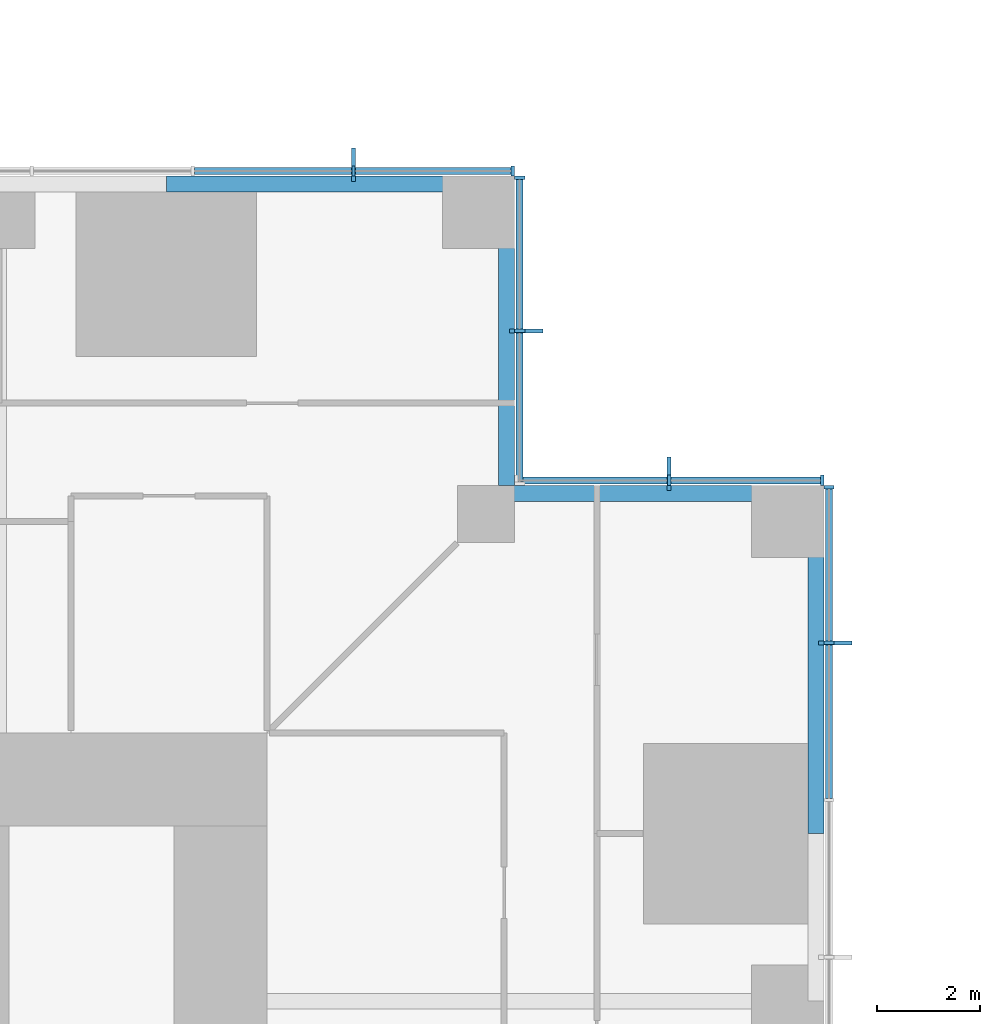
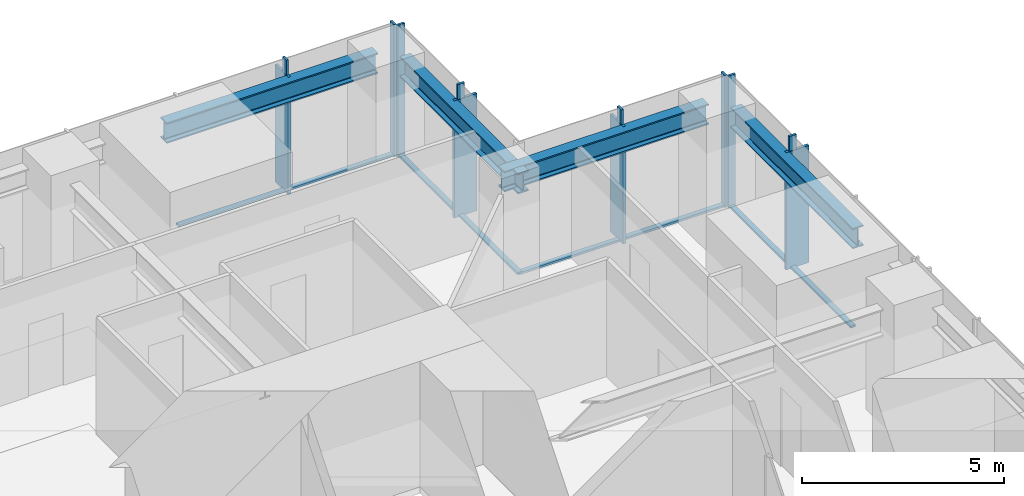
# One storey, part 6 of 17: 20 members, 4 beams, 4 elements without a shape of their own.
"""IFC4 building model written with IfcOpenShell, lengths in metres."""

from ifc_helpers import new_model, si_unit, direction, frame, origin, origin_2d, place, context, subcontext, project, spatial, rectangle, i_section, extrude, material, material_profile, profile_set, type_object, element, aggregate, save


model = new_model("IFC4")

# Units and contexts
model_context = context("Model", 3, precision=1e-05, world=origin(), true_north=direction((0.0, 1.0)))
body_context = subcontext(model_context, "Body", "Model", "MODEL_VIEW")
ifc_project = project(units=[si_unit("LENGTHUNIT", "METRE"), si_unit("AREAUNIT", "SQUARE_METRE"), si_unit("VOLUMEUNIT", "CUBIC_METRE"), si_unit("PLANEANGLEUNIT", "RADIAN"), si_unit("MASSUNIT", "GRAM", prefix="KILO")], contexts=[model_context])

# Site, building, storey
site_placement = place(None, origin())
site = spatial("IfcSite", under=ifc_project, at=site_placement, CompositionType="ELEMENT")
building_placement = place(site_placement, origin())
building = spatial("IfcBuilding", under=site, at=building_placement, Name="Svetlomir Tower", CompositionType="ELEMENT")
storey_placement = place(building_placement, frame((0.0, 0.0, 82.5)))
storey = spatial("IfcBuildingStorey", under=building, at=storey_placement, Name="L19", CompositionType="ELEMENT", Elevation=82.5)

# Curtain wall, member
ifc_material_1 = material(Name="Bronze anodised aluminium curtain wall", Category="aluminium")
curtain_wall_type = type_object("IfcCurtainWallType", Name="CURTAIN WALL CW1 TOWER OFFICE", PredefinedType="NOTDEFINED", material=ifc_material_1)
curtain_wall_1_placement = place(storey_placement, origin())
curtain_wall_1 = element("IfcCurtainWall", 1, at=curtain_wall_1_placement, inside=storey, type_object=curtain_wall_type, Name="Curtain wall CW1 L19", PredefinedType="NOTDEFINED")
ifc_material_2 = material(Name="Bronze anodised aluminium", Category="aluminium")
ifc_material_profile_1 = material_profile(ifc_material_2, rectangle(XDim=0.080078125, YDim=0.64990234375, at=origin_2d()), Name="FIN 80x650")
ifc_profile_set_1 = profile_set([ifc_material_profile_1], Name="Bronze anodised aluminium 6063-T6")
member_type_1 = type_object("IfcMemberType", Name="BRONZE FIN 80x650", PredefinedType="USERDEFINED", material=ifc_profile_set_1)
member_1_placement = place(storey_placement, frame((42.22509765625, 32.949951171875, 0.0), z_axis=(0.0, 0.0, 1.0), x_axis=(0.0, 1.0, 0.0)))
member_1 = element("IfcMember", 2, at=member_1_placement, type_object=member_type_1, Name="Bronze fin L19", ObjectType="FIN", PredefinedType="USERDEFINED", context=body_context, shape_type="SweptSolid", body=[
    extrude(rectangle(XDim=0.080078125, YDim=0.64990234375, at=origin_2d()), origin(), (0.0, 0.0, 1.0), 3.550048828125),
])

curtain_wall_2_placement = place(storey_placement, origin())
curtain_wall_2 = element("IfcCurtainWall", 3, at=curtain_wall_2_placement, inside=storey, type_object=curtain_wall_type, Name="Curtain wall CW1 L19", PredefinedType="NOTDEFINED")
member_2_placement = place(storey_placement, frame((39.0, 36.22509765625, 0.0), z_axis=(0.0, 0.0, 1.0), x_axis=(1.0, 0.0, 0.0)))
member_2 = element("IfcMember", 4, at=member_2_placement, type_object=member_type_1, Name="Bronze fin L19", ObjectType="FIN", PredefinedType="USERDEFINED", context=body_context, shape_type="SweptSolid", body=[
    extrude(rectangle(XDim=0.080078125, YDim=0.64990234375, at=origin_2d()), origin(), (0.0, 0.0, 1.0), 3.550048828125),
])

curtain_wall_3_placement = place(storey_placement, origin())
curtain_wall_3 = element("IfcCurtainWall", 5, at=curtain_wall_3_placement, inside=storey, type_object=curtain_wall_type, Name="Curtain wall CW1 L19", PredefinedType="NOTDEFINED")
member_3_placement = place(storey_placement, frame((36.22509765625, 39.0, 0.0), z_axis=(0.0, 0.0, 1.0), x_axis=(0.0, 1.0, 0.0)))
member_3 = element("IfcMember", 6, at=member_3_placement, type_object=member_type_1, Name="Bronze fin L19", ObjectType="FIN", PredefinedType="USERDEFINED", context=body_context, shape_type="SweptSolid", body=[
    extrude(rectangle(XDim=0.080078125, YDim=0.64990234375, at=origin_2d()), origin(), (0.0, 0.0, 1.0), 3.550048828125),
])

curtain_wall_4_placement = place(storey_placement, origin())
curtain_wall_4 = element("IfcCurtainWall", 7, at=curtain_wall_4_placement, inside=storey, type_object=curtain_wall_type, Name="Curtain wall CW1 L19", PredefinedType="NOTDEFINED")
member_4_placement = place(storey_placement, frame((32.8798828125, 42.22509765625, 0.0), z_axis=(0.0, 0.0, 1.0), x_axis=(1.0, 0.0, 0.0)))
member_4 = element("IfcMember", 8, at=member_4_placement, type_object=member_type_1, Name="Bronze fin L19", ObjectType="FIN", PredefinedType="USERDEFINED", context=body_context, shape_type="SweptSolid", body=[
    extrude(rectangle(XDim=0.080078125, YDim=0.64990234375, at=origin_2d()), origin(), (0.0, 0.0, 1.0), 3.550048828125),
])

# Member
ifc_material_3 = material(Name="Bronze anodised aluminium", Category="aluminium")
ifc_material_profile_2 = material_profile(ifc_material_3, rectangle(XDim=0.06494140625, YDim=0.199951171875, at=origin_2d()), Name="AL 65x200")
ifc_profile_set_2 = profile_set([ifc_material_profile_2], Name="Bronze anodised aluminium 6063-T6")
member_type_2 = type_object("IfcMemberType", Name="CW1 MULLION 65x200", PredefinedType="MULLION", material=ifc_profile_set_2)
member_5_placement = place(storey_placement, frame((42.10009765625, 32.949951171875, 0.0), z_axis=(0.0, 0.0, 1.0), x_axis=(0.0, 1.0, 0.0)))
member_5 = element("IfcMember", 9, at=member_5_placement, type_object=member_type_2, Name="CW1 mullion 8", PredefinedType="MULLION", context=body_context, shape_type="SweptSolid", body=[
    extrude(rectangle(XDim=0.06494140625, YDim=0.199951171875, at=origin_2d()), origin(), (0.0, 0.0, 1.0), 4.0),
])

member_6_placement = place(storey_placement, frame((42.10009765625, 35.967529296875, 0.0), z_axis=(0.0, 0.0, 1.0), x_axis=(0.0, 1.0, 0.0)))
member_6 = element("IfcMember", 10, at=member_6_placement, type_object=member_type_2, Name="CW1 mullion 9", PredefinedType="MULLION", context=body_context, shape_type="SweptSolid", body=[
    extrude(rectangle(XDim=0.06494140625, YDim=0.199951171875, at=origin_2d()), origin(), (0.0, 0.0, 1.0), 4.0),
])

member_7_placement = place(storey_placement, frame((41.967529296875, 36.10009765625, 0.0), z_axis=(0.0, 0.0, 1.0), x_axis=(-1.0, 0.0, 0.0)))
member_7 = element("IfcMember", 11, at=member_7_placement, type_object=member_type_2, Name="CW1 mullion 1", PredefinedType="MULLION", context=body_context, shape_type="SweptSolid", body=[
    extrude(rectangle(XDim=0.06494140625, YDim=0.199951171875, at=origin_2d()), origin(), (0.0, 0.0, 1.0), 4.0),
])

member_8_placement = place(storey_placement, frame((39.0, 36.10009765625, 0.0), z_axis=(0.0, 0.0, 1.0), x_axis=(-1.0, 0.0, 0.0)))
member_8 = element("IfcMember", 12, at=member_8_placement, type_object=member_type_2, Name="CW1 mullion 2", PredefinedType="MULLION", context=body_context, shape_type="SweptSolid", body=[
    extrude(rectangle(XDim=0.06494140625, YDim=0.199951171875, at=origin_2d()), origin(), (0.0, 0.0, 1.0), 4.0),
])

member_9_placement = place(storey_placement, frame((36.10009765625, 39.0, 0.0), z_axis=(0.0, 0.0, 1.0), x_axis=(0.0, 1.0, 0.0)))
member_9 = element("IfcMember", 13, at=member_9_placement, type_object=member_type_2, Name="CW1 mullion 2", PredefinedType="MULLION", context=body_context, shape_type="SweptSolid", body=[
    extrude(rectangle(XDim=0.06494140625, YDim=0.199951171875, at=origin_2d()), origin(), (0.0, 0.0, 1.0), 4.0),
])

member_10_placement = place(storey_placement, frame((36.10009765625, 41.967529296875, 0.0), z_axis=(0.0, 0.0, 1.0), x_axis=(0.0, 1.0, 0.0)))
member_10 = element("IfcMember", 14, at=member_10_placement, type_object=member_type_2, Name="CW1 mullion 3", PredefinedType="MULLION", context=body_context, shape_type="SweptSolid", body=[
    extrude(rectangle(XDim=0.06494140625, YDim=0.199951171875, at=origin_2d()), origin(), (0.0, 0.0, 1.0), 4.0),
])

member_11_placement = place(storey_placement, frame((35.967529296875, 42.10009765625, 0.0), z_axis=(0.0, 0.0, 1.0), x_axis=(-1.0, 0.0, 0.0)))
member_11 = element("IfcMember", 15, at=member_11_placement, type_object=member_type_2, Name="CW1 mullion 1", PredefinedType="MULLION", context=body_context, shape_type="SweptSolid", body=[
    extrude(rectangle(XDim=0.06494140625, YDim=0.199951171875, at=origin_2d()), origin(), (0.0, 0.0, 1.0), 4.0),
])

member_12_placement = place(storey_placement, frame((32.8798828125, 42.10009765625, 0.0), z_axis=(0.0, 0.0, 1.0), x_axis=(-1.0, 0.0, 0.0)))
member_12 = element("IfcMember", 16, at=member_12_placement, type_object=member_type_2, Name="CW1 mullion 2", PredefinedType="MULLION", context=body_context, shape_type="SweptSolid", body=[
    extrude(rectangle(XDim=0.06494140625, YDim=0.199951171875, at=origin_2d()), origin(), (0.0, 0.0, 1.0), 4.0),
])

ifc_material_4 = material(Name="Bronze anodised aluminium", Category="aluminium")
ifc_material_profile_3 = material_profile(ifc_material_4, rectangle(XDim=0.139892578125, YDim=0.06494140625, at=origin_2d()), Name="AL 140x65")
ifc_profile_set_3 = profile_set([ifc_material_profile_3], Name="Bronze anodised aluminium 6063-T6")
member_type_3 = type_object("IfcMemberType", Name="CW1 TRANSOM 65x140", PredefinedType="USERDEFINED", material=ifc_profile_set_3)
member_13_placement = place(storey_placement, frame((42.10009765625, 29.9326171875, 0.032470703125), z_axis=(0.0, 1.0, 0.0), x_axis=(-1.0, 0.0, 0.0)))
member_13 = element("IfcMember", 17, at=member_13_placement, type_object=member_type_3, Name="CW1 transom 7.1", ObjectType="TRANSOM", PredefinedType="USERDEFINED", context=body_context, shape_type="SweptSolid", body=[
    extrude(rectangle(XDim=0.139892578125, YDim=0.06494140625, at=origin_2d()), origin(), (0.0, 0.0, 1.0), 2.98486328125),
])

member_14_placement = place(storey_placement, frame((42.10009765625, 32.982421875, 0.032470703125), z_axis=(0.0, 1.0, 0.0), x_axis=(-1.0, 0.0, 0.0)))
member_14 = element("IfcMember", 18, at=member_14_placement, type_object=member_type_3, Name="CW1 transom 8.1", ObjectType="TRANSOM", PredefinedType="USERDEFINED", context=body_context, shape_type="SweptSolid", body=[
    extrude(rectangle(XDim=0.139892578125, YDim=0.06494140625, at=origin_2d()), origin(), (0.0, 0.0, 1.0), 2.95263671875),
])

aggregate(curtain_wall_1, [member_5, member_6, member_13, member_14, member_1])

member_15_placement = place(storey_placement, frame((41.93505859375, 36.10009765625, 0.032470703125), z_axis=(-1.0, 0.0, 0.0), x_axis=(0.0, -1.0, 0.0)))
member_15 = element("IfcMember", 19, at=member_15_placement, type_object=member_type_3, Name="CW1 transom 1.1", ObjectType="TRANSOM", PredefinedType="USERDEFINED", context=body_context, shape_type="SweptSolid", body=[
    extrude(rectangle(XDim=0.139892578125, YDim=0.06494140625, at=origin_2d()), origin(), (0.0, 0.0, 1.0), 2.902587890625),
])

member_16_placement = place(storey_placement, frame((38.967529296875, 36.10009765625, 0.032470703125), z_axis=(-1.0, 0.0, 0.0), x_axis=(0.0, -1.0, 0.0)))
member_16 = element("IfcMember", 20, at=member_16_placement, type_object=member_type_3, Name="CW1 transom 2.1", ObjectType="TRANSOM", PredefinedType="USERDEFINED", context=body_context, shape_type="SweptSolid", body=[
    extrude(rectangle(XDim=0.139892578125, YDim=0.06494140625, at=origin_2d()), origin(), (0.0, 0.0, 1.0), 2.902587890625),
])

aggregate(curtain_wall_2, [member_7, member_8, member_15, member_16, member_2])

member_17_placement = place(storey_placement, frame((36.10009765625, 36.06494140625, 0.032470703125), z_axis=(0.0, 1.0, 0.0), x_axis=(-1.0, 0.0, 0.0)))
member_17 = element("IfcMember", 21, at=member_17_placement, type_object=member_type_3, Name="CW1 transom 1.1", ObjectType="TRANSOM", PredefinedType="USERDEFINED", context=body_context, shape_type="SweptSolid", body=[
    extrude(rectangle(XDim=0.139892578125, YDim=0.06494140625, at=origin_2d()), origin(), (0.0, 0.0, 1.0), 2.902587890625),
])

member_18_placement = place(storey_placement, frame((36.10009765625, 39.032470703125, 0.032470703125), z_axis=(0.0, 1.0, 0.0), x_axis=(-1.0, 0.0, 0.0)))
member_18 = element("IfcMember", 22, at=member_18_placement, type_object=member_type_3, Name="CW1 transom 2.1", ObjectType="TRANSOM", PredefinedType="USERDEFINED", context=body_context, shape_type="SweptSolid", body=[
    extrude(rectangle(XDim=0.139892578125, YDim=0.06494140625, at=origin_2d()), origin(), (0.0, 0.0, 1.0), 2.902587890625),
])

aggregate(curtain_wall_3, [member_9, member_10, member_17, member_18, member_3])

member_19_placement = place(storey_placement, frame((35.93505859375, 42.10009765625, 0.032470703125), z_axis=(-1.0, 0.0, 0.0), x_axis=(0.0, -1.0, 0.0)))
member_19 = element("IfcMember", 23, at=member_19_placement, type_object=member_type_3, Name="CW1 transom 1.1", ObjectType="TRANSOM", PredefinedType="USERDEFINED", context=body_context, shape_type="SweptSolid", body=[
    extrude(rectangle(XDim=0.139892578125, YDim=0.06494140625, at=origin_2d()), origin(), (0.0, 0.0, 1.0), 3.0224609375),
])

member_20_placement = place(storey_placement, frame((32.847412109375, 42.10009765625, 0.032470703125), z_axis=(-1.0, 0.0, 0.0), x_axis=(0.0, -1.0, 0.0)))
member_20 = element("IfcMember", 24, at=member_20_placement, type_object=member_type_3, Name="CW1 transom 2.1", ObjectType="TRANSOM", PredefinedType="USERDEFINED", context=body_context, shape_type="SweptSolid", body=[
    extrude(rectangle(XDim=0.139892578125, YDim=0.06494140625, at=origin_2d()), origin(), (0.0, 0.0, 1.0), 3.054931640625),
])

aggregate(curtain_wall_4, [member_11, member_12, member_19, member_20, member_4])

# Beams
ifc_material_5 = material(Name="Steel S355", Category="steel")
ifc_material_profile_4 = material_profile(ifc_material_5, i_section(OverallWidth=0.304931640625, OverallDepth=0.6201171875, WebThickness=0.02099609375, FlangeThickness=0.0400390625, FilletRadius=0.027099609375, at=origin_2d()), Name="HEM 600")
ifc_profile_set_4 = profile_set([ifc_material_profile_4], Name="Steel S355")
beam_type = type_object("IfcBeamType", Name="EDGE BEAM HEM 600", PredefinedType="SPANDREL", material=ifc_profile_set_4)
for number, where, z_axis, x_axis, name in (
    (25, (41.847412109375, 29.25, 3.239990234375), (0.0, 1.0, 0.0), (-1.0, 0.0, 0.0), "Edge beam 42/31 to 42/36 under L20"),
    (26, (29.25, 41.847412109375, 3.239990234375), (1.0, 0.0, 0.0), (0.0, 1.0, 0.0), "Edge beam 31/42 to 36/42 under L20"),
):
    element("IfcBeam", number, at=place(storey_placement, frame(where, z_axis=z_axis, x_axis=x_axis)), inside=storey, type_object=beam_type, Name=name, PredefinedType="SPANDREL", context=body_context, shape_type="SweptSolid", body=[
        extrude(i_section(OverallWidth=0.304931640625, OverallDepth=0.6201171875, WebThickness=0.02099609375, FlangeThickness=0.0400390625, FilletRadius=0.027099609375, at=origin_2d()), origin(), (0.0, 0.0, 1.0), 6.050048828125),
    ])
for number, where, z_axis, x_axis, name in (
    (27, (35.847412109375, 41.300048828125, 3.239990234375), (0.0, -1.0, 0.0), (1.0, 0.0, 0.0), "Edge beam 36/42 to 36/36 under L20"),
    (28, (41.300048828125, 35.847412109375, 3.239990234375), (-1.0, 0.0, 0.0), (0.0, -1.0, 0.0), "Edge beam 42/36 to 36/36 under L20"),
):
    element("IfcBeam", number, at=place(storey_placement, frame(where, z_axis=z_axis, x_axis=x_axis)), inside=storey, type_object=beam_type, Name=name, PredefinedType="SPANDREL", context=body_context, shape_type="SweptSolid", body=[
        extrude(i_section(OverallWidth=0.304931640625, OverallDepth=0.6201171875, WebThickness=0.02099609375, FlangeThickness=0.0400390625, FilletRadius=0.027099609375, at=origin_2d()), origin(), (0.0, 0.0, 1.0), 5.85009765625),
    ])

save(model, "model.ifc")
